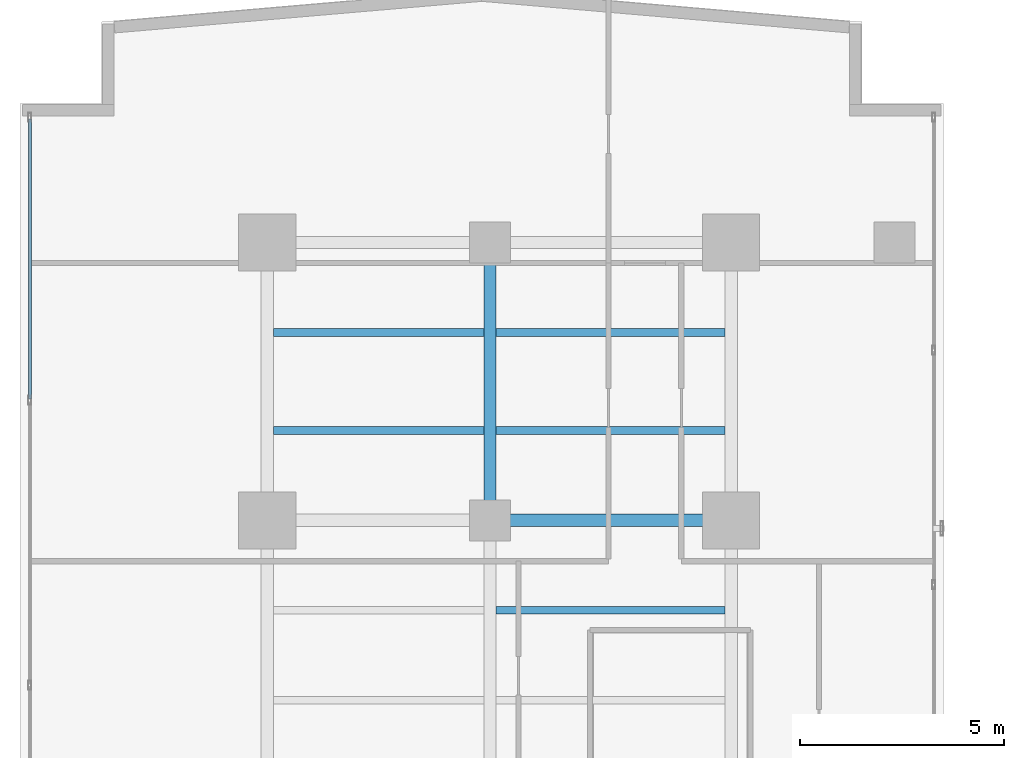
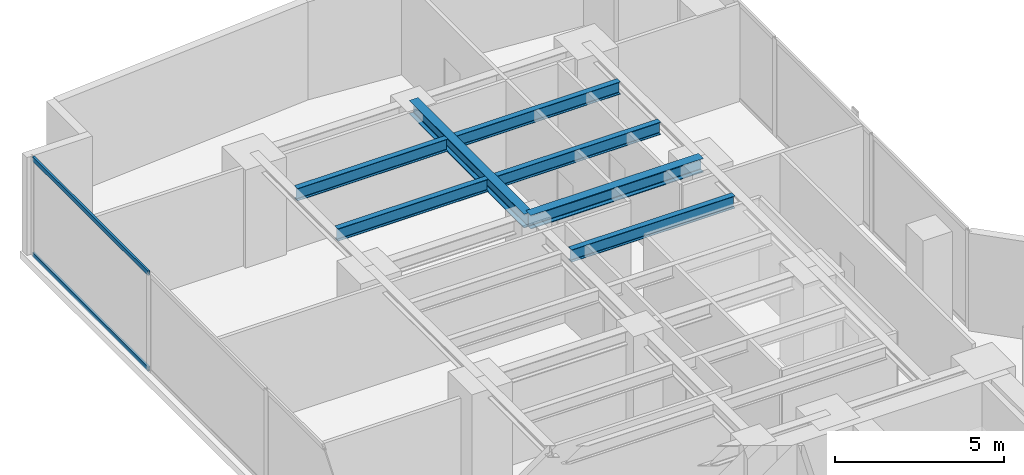
# One storey, part 15 of 26: 7 beams, 2 members, 1 element without a shape of its own.
"""IFC4 building model written with IfcOpenShell, lengths in metres."""

from ifc_helpers import new_model, si_unit, direction, frame, origin, origin_with_axes, origin_2d, place, context, subcontext, project, spatial, hollow_rectangle, i_section, extrude, source, transform, mapped, material, layer, layer_set, material_profile, profile_set, type_object, element, aggregate, save


model = new_model("IFC4")

# Units and contexts
model_context = context("Model", 3, precision=1e-05, world=origin(), true_north=direction((0.0, 1.0)))
body_context = subcontext(model_context, "Body", "Model", "MODEL_VIEW")
ifc_project = project(units=[si_unit("LENGTHUNIT", "METRE"), si_unit("AREAUNIT", "SQUARE_METRE"), si_unit("VOLUMEUNIT", "CUBIC_METRE"), si_unit("PLANEANGLEUNIT", "RADIAN"), si_unit("MASSUNIT", "GRAM", prefix="KILO")], contexts=[model_context])

# Site, building, storey
site_placement = place(None, origin())
site = spatial("IfcSite", under=ifc_project, at=site_placement, CompositionType="ELEMENT")
building_placement = place(site_placement, origin())
building = spatial("IfcBuilding", under=site, at=building_placement, Name="Kolvaren Waterfront Exchange", CompositionType="ELEMENT")
storey_placement = place(building_placement, frame((0.0, 0.0, 125.89990234375)))
storey = spatial("IfcBuildingStorey", under=building, at=storey_placement, Name="L32", CompositionType="ELEMENT", Elevation=125.89990234375)

# Beams
ifc_material_1 = material(Name="Steel S355", Category="steel")
ifc_material_profile_1 = material_profile(ifc_material_1, i_section(OverallWidth=0.300048828125, OverallDepth=0.5, WebThickness=0.014404296875, FlangeThickness=0.028076171875, FilletRadius=0.027099609375, at=origin_2d()), Name="HEB500")
ifc_profile_set_1 = profile_set([ifc_material_profile_1], Name="Steel S355")
beam_type_1 = type_object("IfcBeamType", Name="STR-BM-HEB500", PredefinedType="BEAM", material=ifc_profile_set_1)
beam_1_placement = place(storey_placement, frame((12.89990234375, 37.800048828125, 3.2900390625), z_axis=(1.0, 0.0, 0.0), x_axis=(0.0, 1.0, 0.0)))
element("IfcBeam", 1, at=beam_1_placement, inside=storey, type_object=beam_type_1, Name="L32 north-arm girder 3B", PredefinedType="BEAM", context=body_context, shape_type="SweptSolid", body=[
    extrude(i_section(OverallWidth=0.300048828125, OverallDepth=0.5, WebThickness=0.014404296875, FlangeThickness=0.028076171875, FilletRadius=0.027099609375, at=origin_2d()), origin(), (0.0, 0.0, 1.0), 5.900146484375),
])
beam_2_placement = place(storey_placement, frame((12.89990234375, 37.800048828125, 3.2900390625), z_axis=(0.0, 1.0, 0.0), x_axis=(-1.0, 0.0, 0.0)))
element("IfcBeam", 2, at=beam_2_placement, inside=storey, type_object=beam_type_1, Name="L32 north-arm edge beam 3", PredefinedType="BEAM", context=body_context, shape_type="SweptSolid", body=[
    extrude(i_section(OverallWidth=0.300048828125, OverallDepth=0.5, WebThickness=0.014404296875, FlangeThickness=0.028076171875, FilletRadius=0.027099609375, at=origin_2d()), origin(), (0.0, 0.0, 1.0), 6.800048828125),
])
ifc_material_profile_2 = material_profile(ifc_material_1, i_section(OverallWidth=0.18994140625, OverallDepth=0.449951171875, WebThickness=0.009521484375, FlangeThickness=0.0146484375, FilletRadius=0.02099609375, at=origin_2d()), Name="IPE450")
ifc_profile_set_2 = profile_set([ifc_material_profile_2], Name="Steel S355")
beam_type_2 = type_object("IfcBeamType", Name="STR-BM-IPE450", PredefinedType="JOIST", material=ifc_profile_set_2)
beam_3_placement = place(storey_placement, frame((13.052001953125, 35.60009765625, 3.315185546875), z_axis=(1.0, 0.0, 0.0), x_axis=(0.0, 1.0, 0.0)))
element("IfcBeam", 3, at=beam_3_placement, inside=storey, type_object=beam_type_2, Name="L32 north-arm composite joist 4B", PredefinedType="JOIST", context=body_context, shape_type="SweptSolid", body=[
    extrude(i_section(OverallWidth=0.18994140625, OverallDepth=0.449951171875, WebThickness=0.009521484375, FlangeThickness=0.0146484375, FilletRadius=0.02099609375, at=origin_2d()), origin(), (0.0, 0.0, 1.0), 5.595947265625),
])
beam_4_placement = place(storey_placement, frame((7.60205078125, 40.0, 3.315185546875), z_axis=(1.0, 0.0, 0.0), x_axis=(0.0, 1.0, 0.0)))
element("IfcBeam", 4, at=beam_4_placement, inside=storey, type_object=beam_type_2, Name="L32 north-arm composite joist 5A", PredefinedType="JOIST", context=body_context, shape_type="SweptSolid", body=[
    extrude(i_section(OverallWidth=0.18994140625, OverallDepth=0.449951171875, WebThickness=0.009521484375, FlangeThickness=0.0146484375, FilletRadius=0.02099609375, at=origin_2d()), origin(), (0.0, 0.0, 1.0), 5.14599609375),
])
beam_5_placement = place(storey_placement, frame((13.052001953125, 40.0, 3.315185546875), z_axis=(1.0, 0.0, 0.0), x_axis=(0.0, 1.0, 0.0)))
element("IfcBeam", 5, at=beam_5_placement, inside=storey, type_object=beam_type_2, Name="L32 north-arm composite joist 5B", PredefinedType="JOIST", context=body_context, shape_type="SweptSolid", body=[
    extrude(i_section(OverallWidth=0.18994140625, OverallDepth=0.449951171875, WebThickness=0.009521484375, FlangeThickness=0.0146484375, FilletRadius=0.02099609375, at=origin_2d()), origin(), (0.0, 0.0, 1.0), 5.595947265625),
])
beam_6_placement = place(storey_placement, frame((7.60205078125, 42.39990234375, 3.315185546875), z_axis=(1.0, 0.0, 0.0), x_axis=(0.0, 1.0, 0.0)))
element("IfcBeam", 6, at=beam_6_placement, inside=storey, type_object=beam_type_2, Name="L32 north-arm composite joist 6A", PredefinedType="JOIST", context=body_context, shape_type="SweptSolid", body=[
    extrude(i_section(OverallWidth=0.18994140625, OverallDepth=0.449951171875, WebThickness=0.009521484375, FlangeThickness=0.0146484375, FilletRadius=0.02099609375, at=origin_2d()), origin(), (0.0, 0.0, 1.0), 5.14599609375),
])
beam_7_placement = place(storey_placement, frame((13.052001953125, 42.39990234375, 3.315185546875), z_axis=(1.0, 0.0, 0.0), x_axis=(0.0, 1.0, 0.0)))
element("IfcBeam", 7, at=beam_7_placement, inside=storey, type_object=beam_type_2, Name="L32 north-arm composite joist 6B", PredefinedType="JOIST", context=body_context, shape_type="SweptSolid", body=[
    extrude(i_section(OverallWidth=0.18994140625, OverallDepth=0.449951171875, WebThickness=0.009521484375, FlangeThickness=0.0146484375, FilletRadius=0.02099609375, at=origin_2d()), origin(), (0.0, 0.0, 1.0), 5.595947265625),
])

# Curtain wall, members
ifc_material_2 = material(Name="Anodised aluminium 6063-T6", Category="aluminium")
ifc_layer = layer(ifc_material_2, 0.219970703125, Name="Anodised aluminium 6063-T6")
ifc_layer_set = layer_set([ifc_layer], Name="Anodised aluminium 6063-T6")
curtain_wall_type = type_object("IfcCurtainWallType", Name="ARC-CW-SYS2", PredefinedType="USERDEFINED", material=ifc_layer_set)
curtain_wall_placement = place(storey_placement, origin())
curtain_wall = element("IfcCurtainWall", 8, at=curtain_wall_placement, inside=storey, type_object=curtain_wall_type, Name="L32 stick curtain wall CW2 (CW-L32-W)", ObjectType="STICK CURTAIN WALL", PredefinedType="USERDEFINED")
ifc_material_profile_3 = material_profile(ifc_material_2, hollow_rectangle(XDim=0.074951171875, YDim=0.159912109375, WallThickness=0.00439453125, at=origin_2d()), Name="ALU-TRN-160x75x4.5")
ifc_profile_set_3 = profile_set([ifc_material_profile_3], Name="Anodised aluminium 6063-T6")
member_type = type_object("IfcMemberType", Name="ARC-CWT-160", PredefinedType="USERDEFINED", material=ifc_profile_set_3)
shared_shape = source(origin_with_axes(), body_context, "Body", "SweptSolid", [
    extrude(hollow_rectangle(XDim=0.074951171875, YDim=0.159912109375, WallThickness=0.00439453125, at=origin_2d()), origin(), (0.0, 0.0, 1.0), 6.8466796875),
])
member_1_placement = place(storey_placement, frame((1.639892578125, 40.7734375, 0.03759765625), z_axis=(0.0, 1.0, 0.0), x_axis=(-1.0, 0.0, 0.0)))
member_1 = element("IfcMember", 9, at=member_1_placement, type_object=member_type, Name="CW2 transom 6.1", ObjectType="TRANSOM", PredefinedType="USERDEFINED", context=body_context, shape_type="MappedRepresentation", body=[
    mapped(shared_shape, transform((0.0, 0.0, 0.0), x_axis=(1.0, 0.0, 0.0), y_axis=(0.0, 1.0, 0.0), z_axis=(0.0, 0.0, 1.0), scale=1.0)),
])
member_2_placement = place(storey_placement, frame((1.639892578125, 40.7734375, 3.502685546875), z_axis=(0.0, 1.0, 0.0), x_axis=(-1.0, 0.0, 0.0)))
member_2 = element("IfcMember", 10, at=member_2_placement, type_object=member_type, Name="CW2 transom 6.2", ObjectType="TRANSOM", PredefinedType="USERDEFINED", context=body_context, shape_type="MappedRepresentation", body=[
    mapped(shared_shape, transform((0.0, 0.0, 0.0), x_axis=(1.0, 0.0, 0.0), y_axis=(0.0, 1.0, 0.0), z_axis=(0.0, 0.0, 1.0), scale=1.0)),
])
aggregate(curtain_wall, [member_1, member_2])

save(model, "model.ifc")
